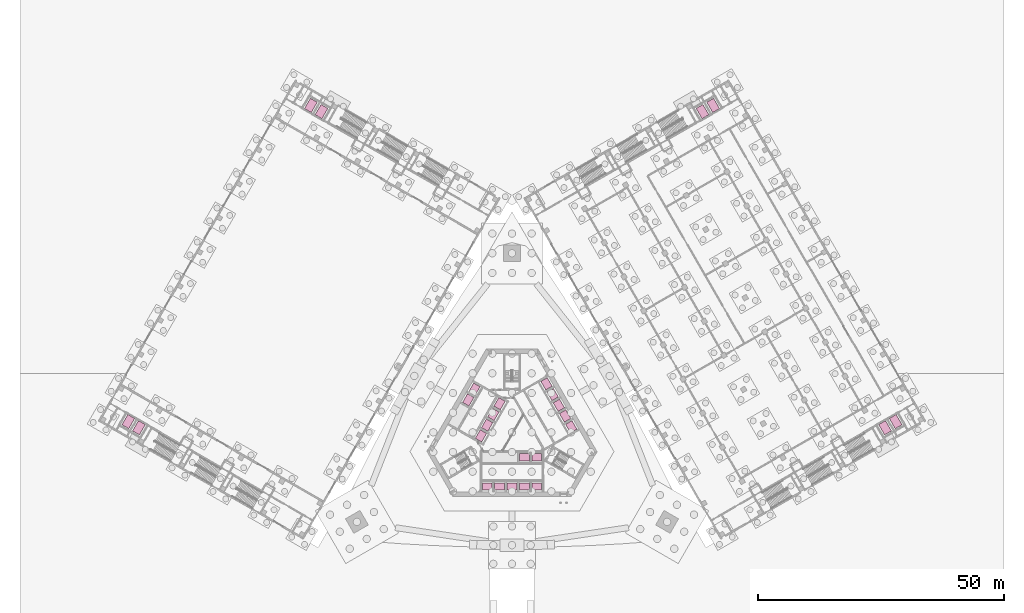
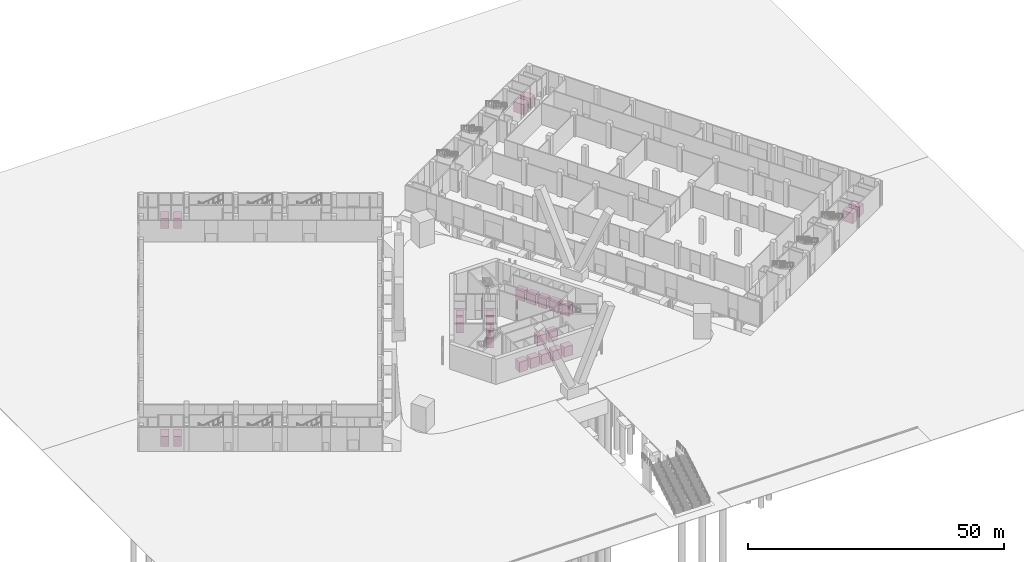
# One storey, part 38 of 38: 26 transport elements.
"""IFC4 building model written with IfcOpenShell, lengths in metres."""

import ifcopenshell
import ifcopenshell.guid

model = None  # the IFC model being written
_history = None  # IfcOwnerHistory: only IFC2X3 demands one
_inside = {}  # id of a spatial element -> (the spatial element, [elements in it])
_under = {}  # id of a project, library or spatial element -> (it, [spatial elements below it])
_declared = {}  # id of a project -> (the project, [libraries it declares])
_typed = {}  # id of a type object -> (the type object, [elements of that type])
_made_of = {}  # id of a material, layer set ... -> (it, [elements and type objects made of it])


def new_model(schema):
    """Start an empty IFC model of exactly this schema.

    Asked for "IFC4X3", IfcOpenShell would pick the latest addendum, in which some entities
    have other attributes; the version numbers below select the first issue.
    IFC2X3 requires an IfcOwnerHistory on every rooted entity: one is made here for all.
    """
    global model, _history
    if schema == "IFC4X3":
        model = ifcopenshell.file(schema_version=(4, 3, 0, 0))
    else:
        model = ifcopenshell.file(schema=schema)
    _inside.clear()
    _under.clear()
    _declared.clear()
    _typed.clear()
    _made_of.clear()
    _history = None
    if model.schema == "IFC2X3":
        org = make("IfcOrganization", Name="unknown")
        user = make(
            "IfcPersonAndOrganization",
            ThePerson=make("IfcPerson", FamilyName="unknown"),
            TheOrganization=org,
        )
        app = make(
            "IfcApplication",
            ApplicationDeveloper=org,
            Version="unknown",
            ApplicationFullName="unknown",
            ApplicationIdentifier="unknown",
        )
        _history = make(
            "IfcOwnerHistory",
            OwningUser=user,
            OwningApplication=app,
            ChangeAction="ADDED",
            CreationDate=0,
        )
    return model


def make(cls, **values):
    """One entity of the class cls with the attributes given. An attribute that is None is left unset."""
    return model.create_entity(
        cls, **{name: value for name, value in values.items() if value is not None}
    )


def rooted(cls, **values):
    """An entity with a GlobalId (a new one), such as an element, a storey or a relation."""
    return make(cls, GlobalId=ifcopenshell.guid.new(), OwnerHistory=_history, **values)


def si_unit(unit_type, name, prefix=None):
    """IfcSIUnit, for example si_unit("LENGTHUNIT", "METRE", prefix="MILLI")."""
    return make("IfcSIUnit", UnitType=unit_type, Prefix=prefix, Name=name)


def assignment(units):
    """IfcUnitAssignment: the units of a project."""
    return None if units is None else make("IfcUnitAssignment", Units=units)


def point(xyz):
    """IfcCartesianPoint."""
    return None if xyz is None else make("IfcCartesianPoint", Coordinates=xyz)


def direction(xyz):
    """IfcDirection."""
    return None if xyz is None else make("IfcDirection", DirectionRatios=xyz)


def frame(location, z_axis=None, x_axis=None):
    """IfcAxis2Placement3D, a coordinate frame: its origin and axes. An axis left out is left unset."""
    return make(
        "IfcAxis2Placement3D",
        Location=point(location),
        Axis=direction(z_axis),
        RefDirection=direction(x_axis),
    )


def frame_2d(location, x_axis=None):
    """IfcAxis2Placement2D, a coordinate frame in the plane: its origin and x axis."""
    return make(
        "IfcAxis2Placement2D", Location=point(location), RefDirection=direction(x_axis)
    )


def origin():
    """The frame at (0, 0, 0) with its axes left unset."""
    return frame((0.0, 0.0, 0.0))


def origin_2d():
    """The frame at (0, 0) in the plane with its x axis left unset."""
    return frame_2d((0.0, 0.0))


def place(relative_to, where):
    """IfcLocalPlacement: puts the frame where relative to a parent placement (None: the world)."""
    return make(
        "IfcLocalPlacement", PlacementRelTo=relative_to, RelativePlacement=where
    )


def context(
    kind, dimensions, precision=None, world=None, true_north=None, identifier=None
):
    """IfcGeometricRepresentationContext, for example the 3D "Model" context."""
    return make(
        "IfcGeometricRepresentationContext",
        ContextIdentifier=identifier,
        ContextType=kind,
        CoordinateSpaceDimension=dimensions,
        Precision=precision,
        WorldCoordinateSystem=world,
        TrueNorth=true_north,
    )


def subcontext(parent, identifier, kind, view, scale=None):
    """IfcGeometricRepresentationSubContext, for example "Body" below "Model"."""
    return make(
        "IfcGeometricRepresentationSubContext",
        ContextIdentifier=identifier,
        ContextType=kind,
        ParentContext=parent,
        TargetScale=scale,
        TargetView=view,
    )


def project(units=None, contexts=None):
    """IfcProject with its units and contexts."""
    return rooted(
        "IfcProject",
        Name="project",
        RepresentationContexts=contexts,
        UnitsInContext=assignment(units),
    )


def spatial(cls, under=None, at=None, **own):
    """A site, building, storey or space (cls), placed at a placement, below another one or the project."""
    s = rooted(cls, ObjectPlacement=at, **own)
    if under is not None:
        _under.setdefault(under.id(), (under, []))[1].append(s)
    return s


def profile(cls, at=None, kind="AREA", **sizes):
    """A parametric profile (cls). Its sizes go by their IFC names, for example OverallWidth=200.0."""
    return make(cls, ProfileType=kind, Position=at, **sizes)


def rectangle(**sizes):
    """IfcRectangleProfileDef."""
    return profile("IfcRectangleProfileDef", **sizes)


def extrude(swept, where, along, depth):
    """IfcExtrudedAreaSolid: the profile swept, set in the frame where, extruded along a direction by depth."""
    return make(
        "IfcExtrudedAreaSolid",
        SweptArea=swept,
        Position=where,
        ExtrudedDirection=direction(along),
        Depth=depth,
    )


def shape(context_of_items, identifier, shape_type, items):
    """IfcShapeRepresentation: the items that make up one representation, for example the "Body"."""
    return make(
        "IfcShapeRepresentation",
        ContextOfItems=context_of_items,
        RepresentationIdentifier=identifier,
        RepresentationType=shape_type,
        Items=items,
    )


def material(Name=None, Category=None):
    """IfcMaterial."""
    return make("IfcMaterial", Name=Name, Category=Category)


def made_of(thing, what):
    """Note that an element or type object is made of a material, layer set ...; save() writes the relation."""
    if what is not None:
        _made_of.setdefault(what.id(), (what, []))[1].append(thing)
    return thing


def type_object(cls, material=None, **own):
    """A type object (cls), such as IfcWallType, which elements share."""
    return made_of(rooted(cls, **own), material)


def element(
    cls,
    number,
    at=None,
    inside=None,
    cuts=None,
    type_object=None,
    material=None,
    context=None,
    identifier="Body",
    shape_type=None,
    held_by="IfcProductDefinitionShape",
    body=None,
    shapes=None,
    **own,
):
    """One element of the class cls, such as IfcWall. Its Tag is "e" and its number.

    at: its placement. inside: the storey or other place that contains it. cuts: it is an
    opening in that element (IfcRelVoidsElement). A single representation is given by context,
    identifier, shape_type and body (its items); several are given by shapes. held_by: the class
    of the entity that holds the representations. save() writes the other relations.
    """
    e = rooted(cls, Tag="e%d" % number, ObjectPlacement=at, **own)
    if body is not None:
        shapes = [shape(context, identifier, shape_type, body)]
    if shapes is not None:
        e.Representation = make(held_by, Representations=shapes)
    if inside is not None:
        _inside.setdefault(inside.id(), (inside, []))[1].append(e)
    if cuts is not None:
        rooted(
            "IfcRelVoidsElement", RelatingBuildingElement=cuts, RelatedOpeningElement=e
        )
    if type_object is not None:
        _typed.setdefault(type_object.id(), (type_object, []))[1].append(e)
    return made_of(e, material)


def aggregate(whole, parts):
    """IfcRelAggregates: a whole, such as a stair, and the parts it consists of."""
    return rooted("IfcRelAggregates", RelatingObject=whole, RelatedObjects=parts)


def save(model, path):
    """Write the relations noted so far, then the file.

    IfcRelAggregates (storeys below a building ...), IfcRelContainedInSpatialStructure (elements
    in a storey), IfcRelDefinesByType, IfcRelAssociatesMaterial and IfcRelDeclares: one each for
    every whole, place, type object, material and project.
    """
    for whole, parts in _under.values():
        aggregate(whole, parts)
    for where, things in _inside.values():
        rooted(
            "IfcRelContainedInSpatialStructure",
            RelatedElements=things,
            RelatingStructure=where,
        )
    for kind, things in _typed.values():
        rooted("IfcRelDefinesByType", RelatedObjects=things, RelatingType=kind)
    for what, things in _made_of.values():
        rooted("IfcRelAssociatesMaterial", RelatedObjects=things, RelatingMaterial=what)
    for by, libraries in _declared.values():
        rooted("IfcRelDeclares", RelatingContext=by, RelatedDefinitions=libraries)
    model.write(path)


model = new_model("IFC4")

# Units and contexts
model_context = context("Model", 3, precision=1e-05, world=origin(), true_north=direction((0.0, 1.0)))
body_context = subcontext(model_context, "Body", "Model", "MODEL_VIEW")
ifc_project = project(units=[si_unit("LENGTHUNIT", "METRE"), si_unit("AREAUNIT", "SQUARE_METRE"), si_unit("VOLUMEUNIT", "CUBIC_METRE"), si_unit("PLANEANGLEUNIT", "RADIAN"), si_unit("MASSUNIT", "GRAM", prefix="KILO")], contexts=[model_context])

# Site, building, storey
site_placement = place(None, origin())
site = spatial("IfcSite", under=ifc_project, at=site_placement, CompositionType="ELEMENT")
building_placement = place(site_placement, origin())
building = spatial("IfcBuilding", under=site, at=building_placement, Name="Mestral Congress Tower", CompositionType="ELEMENT")
storey_placement = place(building_placement, origin())
storey = spatial("IfcBuildingStorey", under=building, at=storey_placement, Name="L00", CompositionType="ELEMENT", Elevation=0.0)

# Transport elements
ifc_material = material(Name="Stainless steel cabin with glass panels", Category="steel")
transport_element_type_1 = type_object("IfcTransportElementType", Name="Passenger lift car 2000x1500", PredefinedType="ELEVATOR", material=ifc_material)
for number, where, z_axis, x_axis, name in (
    (1, (12.04638671875, 1.13525390625, 0.0), (0.0, 0.0, 1.0), (0.866025403784, 0.5, 0.0), "Emergency lift LR6"),
    (2, (10.786376953125, 3.317626953125, 0.0), (0.0, 0.0, 1.0), (0.866025403784, 0.5, 0.0), "Emergency lift LR7"),
    (3, (9.5263671875, 5.5, 0.0), (0.0, 0.0, 1.0), (0.866025403784, 0.5, 0.0), "Emergency lift LR8"),
    (4, (8.266357421875, 7.682373046875, 0.0), (0.0, 0.0, 1.0), (0.866025403784, 0.5, 0.0), "Evacuation lift SH1"),
    (5, (7.00634765625, 9.86474609375, 0.0), (0.0, 0.0, 1.0), (0.866025403784, 0.5, 0.0), "Evacuation lift SH2"),
    (6, (-7.63623046875, 8.773681640625, 0.0), (0.0, 0.0, 1.0), (-0.866025403784, 0.5, 0.0), "Evacuation lift SH3"),
    (7, (-8.896240234375, 6.59130859375, 0.0), (0.0, 0.0, 1.0), (-0.866025403784, 0.5, 0.0), "Evacuation lift SH4"),
    (8, (-2.526611328125, 5.823486328125, 0.0), (0.0, 0.0, 1.0), (-0.866025403784, 0.5, 0.0), "Firefighting lift FF1"),
    (9, (-3.78662109375, 3.64111328125, 0.0), (0.0, 0.0, 1.0), (-0.866025403784, 0.5, 0.0), "Firefighting lift FF2"),
    (10, (-5.046630859375, 1.458740234375, 0.0), (0.0, 0.0, 1.0), (-0.866025403784, 0.5, 0.0), "Firefighting lift FF3"),
    (11, (-6.306640625, -0.7236328125, 0.0), (0.0, 0.0, 1.0), (-0.866025403784, 0.5, 0.0), "Firefighting lift FF4"),
    (12, (-5.0400390625, -11.0, 0.0), (0.0, 0.0, 1.0), (0.0, -1.0, 0.0), "Emergency lift LR1"),
    (13, (-2.52001953125, -11.0, 0.0), (0.0, 0.0, 1.0), (0.0, -1.0, 0.0), "Emergency lift LR2"),
    (14, (0.0, -11.0, 0.0), (0.0, 0.0, 1.0), (0.0, -1.0, 0.0), "Emergency lift LR3"),
    (15, (2.52001953125, -11.0, 0.0), (0.0, 0.0, 1.0), (0.0, -1.0, 0.0), "Emergency lift LR4"),
    (16, (5.0400390625, -11.0, 0.0), (0.0, 0.0, 1.0), (0.0, -1.0, 0.0), "Emergency lift LR5"),
    (17, (2.52001953125, -5.10009765625, 0.0), (0.0, 0.0, 1.0), (0.0, -1.0, 0.0), "Emergency lift SV1"),
    (18, (5.0400390625, -5.10009765625, 0.0), (0.0, 0.0, 1.0), (0.0, -1.0, 0.0), "Emergency lift SV2"),
):
    element("IfcTransportElement", number, at=place(storey_placement, frame(where, z_axis=z_axis, x_axis=x_axis)), inside=storey, type_object=transport_element_type_1, Name=name, PredefinedType="ELEVATOR", context=body_context, shape_type="SweptSolid", body=[
        extrude(rectangle(XDim=1.5, YDim=2.0, at=origin_2d()), origin(), (0.0, 0.0, 1.0), 2.39990234375),
    ])
transport_element_type_2 = type_object("IfcTransportElementType", Name="Podium passenger lift car 1600x2400", PredefinedType="ELEVATOR", material=ifc_material)
for number, where, z_axis, x_axis, name in (
    (19, (75.818603515625, 0.9345703125, 0.0), (0.0, 0.0, 1.0), (-0.5, 0.866025403784, 0.0), "Passenger lift EL1"),
    (20, (77.983642578125, 2.1845703125, 0.0), (0.0, 0.0, 1.0), (-0.5, 0.866025403784, 0.0), "Passenger lift EL2"),
    (21, (38.718505859375, 65.193603515625, 0.0), (0.0, 0.0, 1.0), (-0.5, 0.866025403784, 0.0), "Passenger lift EL3"),
    (22, (40.883544921875, 66.443603515625, 0.0), (0.0, 0.0, 1.0), (-0.5, 0.866025403784, 0.0), "Passenger lift EL4"),
    (23, (-38.718505859375, 65.193603515625, 0.0), (0.0, 0.0, 1.0), (-0.5, -0.866025403784, 0.0), "Passenger lift WL1"),
    (24, (-40.883544921875, 66.443603515625, 0.0), (0.0, 0.0, 1.0), (-0.5, -0.866025403784, 0.0), "Passenger lift WL2"),
    (25, (-75.818603515625, 0.934326171875, 0.0), (0.0, 0.0, 1.0), (-0.5, -0.866025403784, 0.0), "Passenger lift WL3"),
    (26, (-77.983642578125, 2.184326171875, 0.0), (0.0, 0.0, 1.0), (-0.5, -0.866025403784, 0.0), "Passenger lift WL4"),
):
    element("IfcTransportElement", number, at=place(storey_placement, frame(where, z_axis=z_axis, x_axis=x_axis)), inside=storey, type_object=transport_element_type_2, Name=name, PredefinedType="ELEVATOR", context=body_context, shape_type="SweptSolid", body=[
        extrude(rectangle(XDim=2.39990234375, YDim=1.60009765625, at=origin_2d()), origin(), (0.0, 0.0, 1.0), 2.39990234375),
    ])

save(model, "model.ifc")
